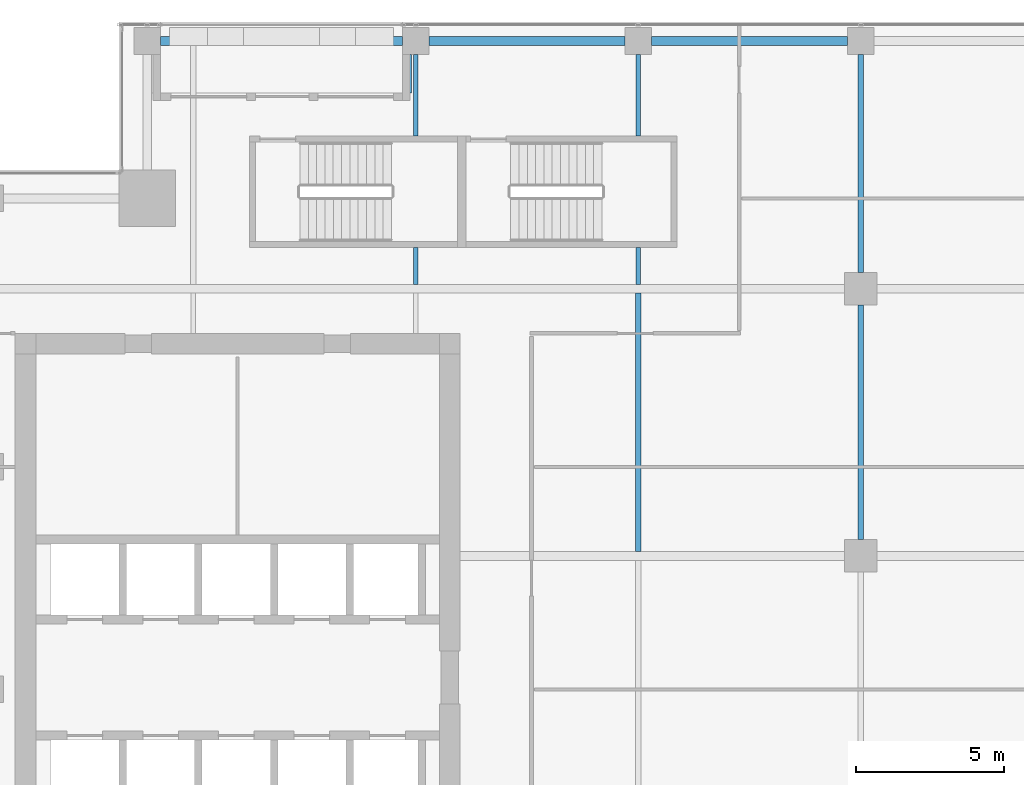
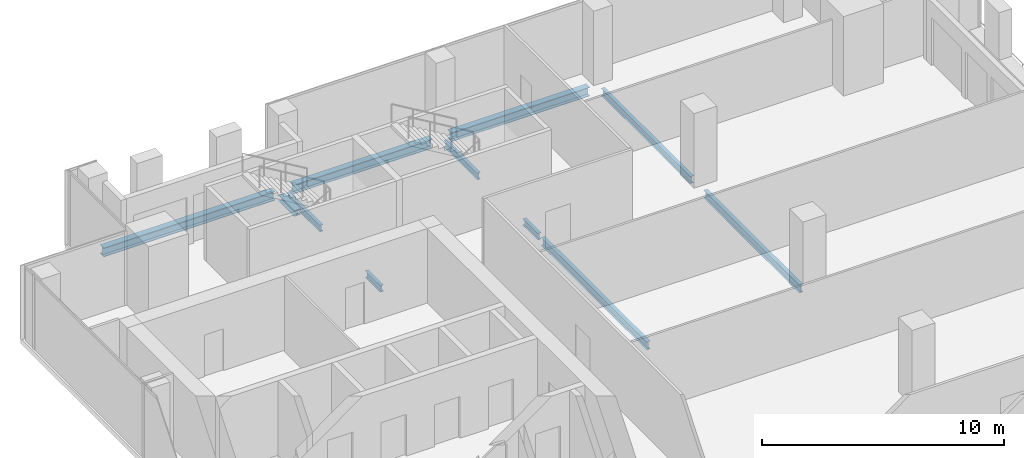
# One storey, part 17 of 35: 11 beams.
"""IFC4 building model written with IfcOpenShell, lengths in metres."""

from ifc_helpers import new_model, si_unit, direction, frame, origin, origin_2d, place, context, subcontext, project, spatial, i_section, extrude, source, transform, mapped, material, material_profile, profile_set, type_object, element, save


model = new_model("IFC4")

# Units and contexts
model_context = context("Model", 3, precision=1e-05, world=origin(), true_north=direction((0.0, 1.0)))
body_context = subcontext(model_context, "Body", "Model", "MODEL_VIEW")
ifc_project = project(units=[si_unit("LENGTHUNIT", "METRE"), si_unit("AREAUNIT", "SQUARE_METRE"), si_unit("VOLUMEUNIT", "CUBIC_METRE"), si_unit("PLANEANGLEUNIT", "RADIAN"), si_unit("MASSUNIT", "GRAM", prefix="KILO")], contexts=[model_context])

# Site, building, storey
site_placement = place(None, origin())
site = spatial("IfcSite", under=ifc_project, at=site_placement, CompositionType="ELEMENT")
building_placement = place(site_placement, origin())
building = spatial("IfcBuilding", under=site, at=building_placement, Name="Khomas Fold Tower", CompositionType="ELEMENT")
storey_placement = place(building_placement, frame((0.0, 0.0, 250.199951171875)))
storey = spatial("IfcBuildingStorey", under=building, at=storey_placement, Name="L56", CompositionType="ELEMENT", Elevation=250.199951171875)

# Beams
ifc_material_1 = material(Name="Steel S355", Category="steel")
ifc_material_profile_1 = material_profile(ifc_material_1, i_section(OverallWidth=0.179931640625, OverallDepth=0.39990234375, WebThickness=0.008544921875, FlangeThickness=0.013427734375, at=origin_2d()), Name="IPE 400")
ifc_profile_set_1 = profile_set([ifc_material_profile_1], Name="Steel S355")
beam_type_1 = type_object("IfcBeamType", Name="IPE 400 beam JB3", PredefinedType="BEAM", material=ifc_profile_set_1)
shared_shape_1 = source(origin(), body_context, "Body", "SweptSolid", [
    extrude(i_section(OverallWidth=0.179931640625, OverallDepth=0.39990234375, WebThickness=0.008544921875, FlangeThickness=0.013427734375, at=origin_2d()), origin(), (0.0, 0.0, 1.0), 8.7001953125),
])
beam_1_placement = place(storey_placement, frame((27.0, 31.64990234375, -0.449951171875), z_axis=(0.0, 1.0, 0.0), x_axis=(-1.0, 0.0, 0.0)))
element("IfcBeam", 1, at=beam_1_placement, inside=storey, type_object=beam_type_1, Name="JB3", PredefinedType="BEAM", context=body_context, shape_type="MappedRepresentation", body=[
    mapped(shared_shape_1, transform((0.0, 0.0, 0.0))),
])
ifc_material_2 = material(Name="Steel S355", Category="steel")
ifc_material_profile_2 = material_profile(ifc_material_2, i_section(OverallWidth=0.159912109375, OverallDepth=0.330078125, WebThickness=0.007568359375, FlangeThickness=0.011474609375, at=origin_2d()), Name="IPE 330")
ifc_profile_set_2 = profile_set([ifc_material_profile_2], Name="Steel S355")
beam_type_2 = type_object("IfcBeamType", Name="IPE 330 beam JB1", PredefinedType="BEAM", material=ifc_profile_set_2)
shared_shape_2 = source(origin(), body_context, "Body", "SweptSolid", [
    extrude(i_section(OverallWidth=0.159912109375, OverallDepth=0.330078125, WebThickness=0.007568359375, FlangeThickness=0.011474609375, at=origin_2d()), origin(), (0.0, 0.0, 1.0), 1.25),
])
for number, where, z_axis, x_axis, name in (
    (2, (19.5, 40.64990234375, -0.4150390625), (0.0, 1.0, 0.0), (-1.0, 0.0, 0.0), "JB1"),
    (3, (27.0, 40.64990234375, -0.4150390625), (0.0, 1.0, 0.0), (-1.0, 0.0, 0.0), "JB1"),
):
    element("IfcBeam", number, at=place(storey_placement, frame(where, z_axis=z_axis, x_axis=x_axis)), inside=storey, type_object=beam_type_2, Name=name, PredefinedType="BEAM", context=body_context, shape_type="MappedRepresentation", body=[
        mapped(shared_shape_2, transform((0.0, 0.0, 0.0))),
    ])
shared_shape_3 = source(origin(), body_context, "Body", "SweptSolid", [
    extrude(i_section(OverallWidth=0.159912109375, OverallDepth=0.330078125, WebThickness=0.007568359375, FlangeThickness=0.011474609375, at=origin_2d()), origin(), (0.0, 0.0, 1.0), 2.75),
])
for number, where, z_axis, x_axis, name in (
    (4, (19.5, 45.64990234375, -0.4150390625), (0.0, 1.0, 0.0), (-1.0, 0.0, 0.0), "JB1"),
    (5, (27.0, 45.64990234375, -0.4150390625), (0.0, 1.0, 0.0), (-1.0, 0.0, 0.0), "JB1"),
):
    element("IfcBeam", number, at=place(storey_placement, frame(where, z_axis=z_axis, x_axis=x_axis)), inside=storey, type_object=beam_type_2, Name=name, PredefinedType="BEAM", context=body_context, shape_type="MappedRepresentation", body=[
        mapped(shared_shape_3, transform((0.0, 0.0, 0.0))),
    ])
ifc_material_3 = material(Name="Steel S355", Category="steel")
ifc_material_profile_3 = material_profile(ifc_material_3, i_section(OverallWidth=0.300048828125, OverallDepth=0.449951171875, WebThickness=0.013916015625, FlangeThickness=0.02587890625, at=origin_2d()), Name="HE 450 B")
ifc_profile_set_3 = profile_set([ifc_material_profile_3], Name="Steel S355")
beam_type_3 = type_object("IfcBeamType", Name="HE 450 B spandrel SB4", PredefinedType="SPANDREL", material=ifc_profile_set_3)
shared_shape_4 = source(origin(), body_context, "Body", "SweptSolid", [
    extrude(i_section(OverallWidth=0.300048828125, OverallDepth=0.449951171875, WebThickness=0.013916015625, FlangeThickness=0.02587890625, at=origin_2d()), origin(), (0.0, 0.0, 1.0), 8.150146484375),
])
beam_2_placement = place(storey_placement, frame((10.89990234375, 48.85009765625, -0.474853515625), z_axis=(1.0, 0.0, 0.0), x_axis=(0.0, 1.0, 0.0)))
element("IfcBeam", 6, at=beam_2_placement, inside=storey, type_object=beam_type_3, Name="SB4", PredefinedType="SPANDREL", context=body_context, shape_type="MappedRepresentation", body=[
    mapped(shared_shape_4, transform((0.0, 0.0, 0.0))),
])
shared_shape_5 = source(origin(), body_context, "Body", "SweptSolid", [
    extrude(i_section(OverallWidth=0.300048828125, OverallDepth=0.449951171875, WebThickness=0.013916015625, FlangeThickness=0.02587890625, at=origin_2d()), origin(), (0.0, 0.0, 1.0), 6.60009765625),
])
for number, where, z_axis, x_axis, name in (
    (7, (27.449951171875, 48.85009765625, -0.474853515625), (1.0, 0.0, 0.0), (0.0, 1.0, 0.0), "SB4"),
    (8, (19.949951171875, 48.85009765625, -0.474853515625), (1.0, 0.0, 0.0), (0.0, 1.0, 0.0), "SB4"),
):
    element("IfcBeam", number, at=place(storey_placement, frame(where, z_axis=z_axis, x_axis=x_axis)), inside=storey, type_object=beam_type_3, Name=name, PredefinedType="SPANDREL", context=body_context, shape_type="MappedRepresentation", body=[
        mapped(shared_shape_5, transform((0.0, 0.0, 0.0))),
    ])
ifc_material_4 = material(Name="Steel S355", Category="steel")
ifc_material_profile_4 = material_profile(ifc_material_4, i_section(OverallWidth=0.169921875, OverallDepth=0.360107421875, WebThickness=0.008056640625, FlangeThickness=0.0126953125, at=origin_2d()), Name="IPE 360")
ifc_profile_set_4 = profile_set([ifc_material_profile_4], Name="Steel S355")
beam_type_4 = type_object("IfcBeamType", Name="IPE 360 beam JB2", PredefinedType="BEAM", material=ifc_profile_set_4)
shared_shape_6 = source(origin(), body_context, "Body", "SweptSolid", [
    extrude(i_section(OverallWidth=0.169921875, OverallDepth=0.360107421875, WebThickness=0.008056640625, FlangeThickness=0.0126953125, at=origin_2d()), origin(), (0.0, 0.0, 1.0), 7.349853515625),
])
beam_3_placement = place(storey_placement, frame((34.5, 41.050048828125, -0.429931640625), z_axis=(0.0, 1.0, 0.0), x_axis=(-1.0, 0.0, 0.0)))
element("IfcBeam", 9, at=beam_3_placement, inside=storey, type_object=beam_type_4, Name="JB2", PredefinedType="BEAM", context=body_context, shape_type="MappedRepresentation", body=[
    mapped(shared_shape_6, transform((0.0, 0.0, 0.0))),
])
shared_shape_7 = source(origin(), body_context, "Body", "SweptSolid", [
    extrude(i_section(OverallWidth=0.179931640625, OverallDepth=0.39990234375, WebThickness=0.008544921875, FlangeThickness=0.013427734375, at=origin_2d()), origin(), (0.0, 0.0, 1.0), 7.89990234375),
])
beam_4_placement = place(storey_placement, frame((34.5, 32.050048828125, -0.449951171875), z_axis=(0.0, 1.0, 0.0), x_axis=(-1.0, 0.0, 0.0)))
element("IfcBeam", 10, at=beam_4_placement, inside=storey, type_object=beam_type_1, Name="JB3", PredefinedType="BEAM", context=body_context, shape_type="MappedRepresentation", body=[
    mapped(shared_shape_7, transform((0.0, 0.0, 0.0))),
])
ifc_material_5 = material(Name="Steel S355", Category="steel")
ifc_material_profile_5 = material_profile(ifc_material_5, i_section(OverallWidth=0.300048828125, OverallDepth=0.300048828125, WebThickness=0.010986328125, FlangeThickness=0.01904296875, at=origin_2d()), Name="HE 300 B")
ifc_profile_set_5 = profile_set([ifc_material_profile_5], Name="Steel S355")
beam_type_5 = type_object("IfcBeamType", Name="HE 300 B beam BB1", PredefinedType="BEAM", material=ifc_profile_set_5)
shared_shape_8 = source(origin(), body_context, "Body", "SweptSolid", [
    extrude(i_section(OverallWidth=0.300048828125, OverallDepth=0.300048828125, WebThickness=0.010986328125, FlangeThickness=0.01904296875, at=origin_2d()), origin(), (0.0, 0.0, 1.0), 1.2998046875),
])
beam_5_placement = place(storey_placement, frame((19.199951171875, 47.10009765625, -0.39990234375), z_axis=(0.0, 1.0, 0.0), x_axis=(-1.0, 0.0, 0.0)))
element("IfcBeam", 11, at=beam_5_placement, inside=storey, type_object=beam_type_5, Name="BB1", PredefinedType="BEAM", context=body_context, shape_type="MappedRepresentation", body=[
    mapped(shared_shape_8, transform((0.0, 0.0, 0.0))),
])

save(model, "model.ifc")
